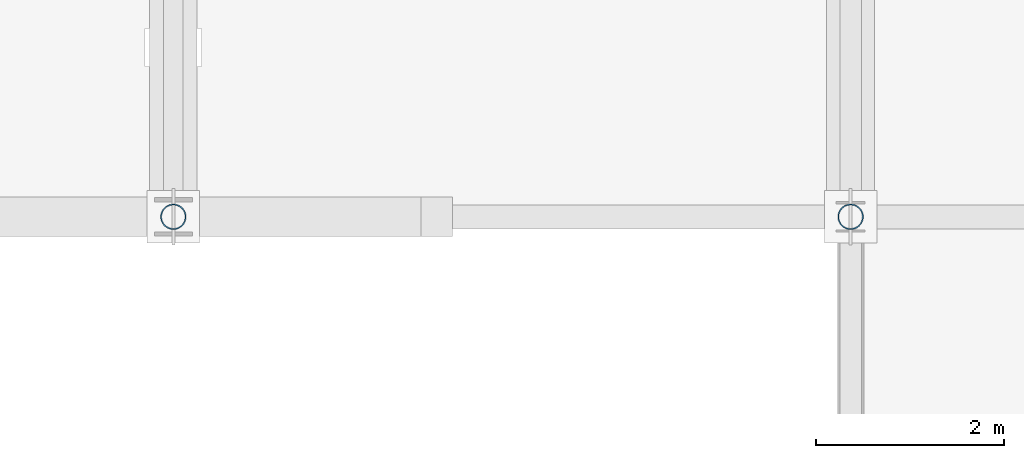
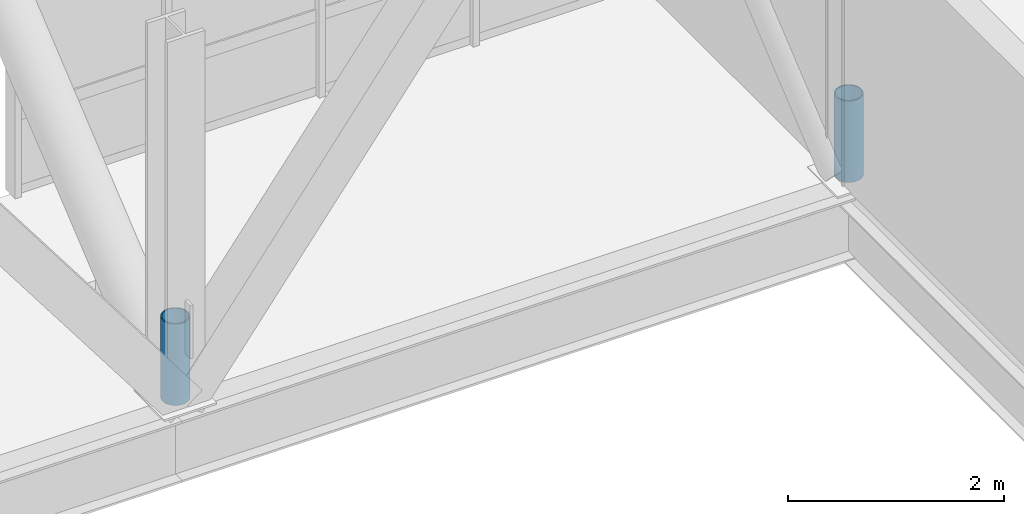
# One storey, part 72 of 102: 2 members.
"""IFC4 building model written with IfcOpenShell, lengths in metres."""

from ifc_helpers import new_model, si_unit, direction, frame, origin, origin_2d, place, context, subcontext, project, spatial, hollow_circle, extrude, material, material_profile, profile_set, type_object, element, save


model = new_model("IFC4")

# Units and contexts
model_context = context("Model", 3, precision=1e-05, world=origin(), true_north=direction((0.0, 1.0)))
body_context = subcontext(model_context, "Body", "Model", "MODEL_VIEW")
ifc_project = project(units=[si_unit("LENGTHUNIT", "METRE"), si_unit("AREAUNIT", "SQUARE_METRE"), si_unit("VOLUMEUNIT", "CUBIC_METRE"), si_unit("PLANEANGLEUNIT", "RADIAN"), si_unit("MASSUNIT", "GRAM", prefix="KILO")], contexts=[model_context])

# Site, building, storey
site_placement = place(None, origin())
site = spatial("IfcSite", under=ifc_project, at=site_placement, CompositionType="ELEMENT")
building_placement = place(site_placement, origin())
building = spatial("IfcBuilding", under=site, at=building_placement, Name="Yarey Park Central Fire Station", CompositionType="ELEMENT")
storey_placement = place(building_placement, frame((0.0, 0.0, 6.0)))
storey = spatial("IfcBuildingStorey", under=building, at=storey_placement, Name="L02", CompositionType="ELEMENT", Elevation=6.0)

# Members
ifc_material = material(Name="Steel ASTM A500 Gr. C", Category="steel")
ifc_material_profile = material_profile(ifc_material, hollow_circle(Radius=0.136474609375, WallThickness=0.012451171875, at=origin_2d()), Name="CHS 273x12.5")
ifc_profile_set = profile_set([ifc_material_profile], Name="Steel ASTM A500 Gr. C")
member_type = type_object("IfcMemberType", Name="STR_WEB_CHS273", PredefinedType="BRACE", material=ifc_profile_set)
for number, where, z_axis, x_axis, name in (
    (1, (129.60009765625, 57.60009765625, 0.0), (0.0, 0.0, 1.0), (1.0, 0.0, 0.0), "Arched Roof Truss ART_11 Vertical 1"),
    (2, (136.800048828125, 57.60009765625, 0.0), (0.0, 0.0, 1.0), (1.0, 0.0, 0.0), "Arched Roof Truss ART_12 Vertical 1"),
):
    element("IfcMember", number, at=place(storey_placement, frame(where, z_axis=z_axis, x_axis=x_axis)), inside=storey, type_object=member_type, Name=name, PredefinedType="BRACE", context=body_context, shape_type="SweptSolid", body=[
        extrude(hollow_circle(Radius=0.136474609375, WallThickness=0.012451171875, at=origin_2d()), origin(), (0.0, 0.0, 1.0), 0.919921875),
    ])

save(model, "model.ifc")
